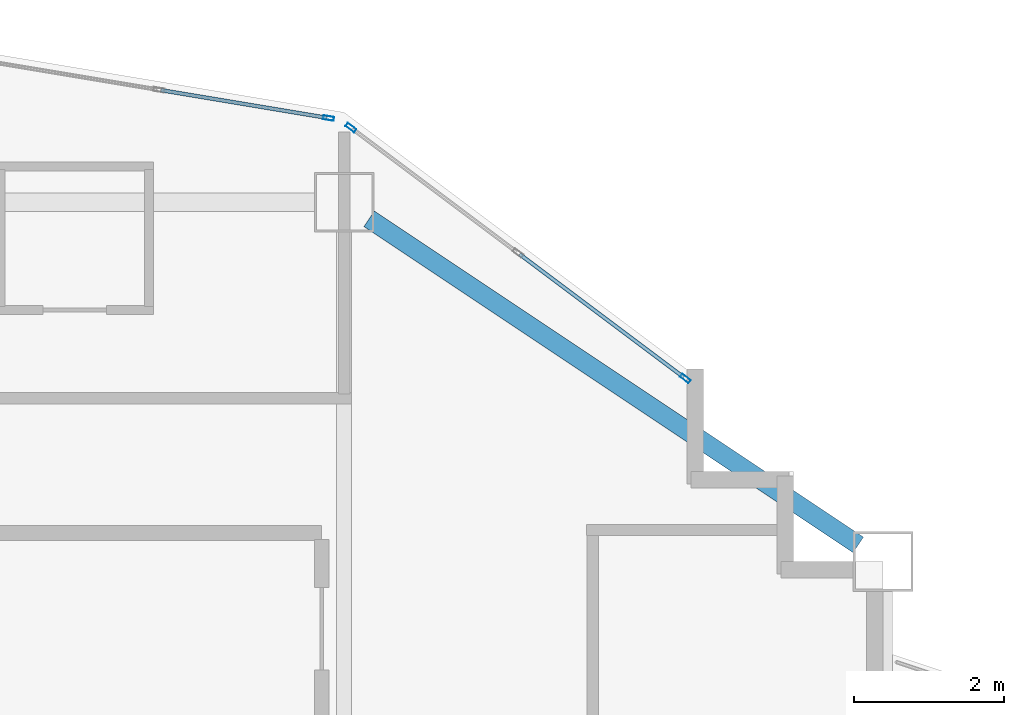
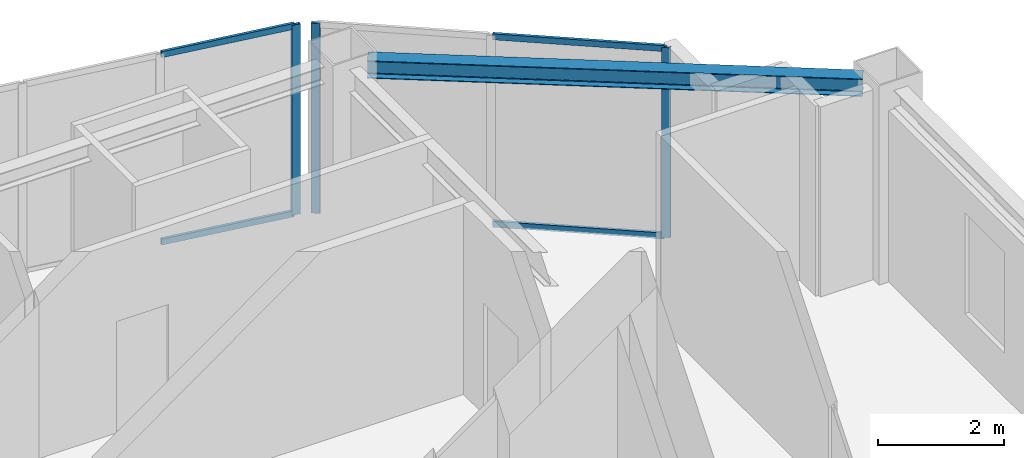
# One storey, part 3 of 10: 7 members, 1 beam, 2 elements without a shape of their own.
"""IFC4 building model written with IfcOpenShell, lengths in metres."""

from ifc_helpers import new_model, si_unit, direction, frame, origin, origin_2d, place, context, subcontext, project, spatial, hollow_rectangle, i_section, extrude, material, layer, layer_set, material_profile, profile_set, type_object, element, aggregate, save


model = new_model("IFC4")

# Units and contexts
model_context = context("Model", 3, precision=1e-05, world=origin(), true_north=direction((0.0, 1.0)))
body_context = subcontext(model_context, "Body", "Model", "MODEL_VIEW")
ifc_project = project(units=[si_unit("LENGTHUNIT", "METRE"), si_unit("AREAUNIT", "SQUARE_METRE"), si_unit("VOLUMEUNIT", "CUBIC_METRE"), si_unit("PLANEANGLEUNIT", "RADIAN"), si_unit("MASSUNIT", "GRAM", prefix="KILO")], contexts=[model_context])

# Site, building, storey
site_placement = place(None, origin())
site = spatial("IfcSite", under=ifc_project, at=site_placement, CompositionType="ELEMENT")
building_placement = place(site_placement, origin())
building = spatial("IfcBuilding", under=site, at=building_placement, Name="Haolan Belvedere Tower", CompositionType="ELEMENT")
storey_placement = place(building_placement, frame((0.0, 0.0, 235.199951171875)))
storey = spatial("IfcBuildingStorey", under=building, at=storey_placement, Name="L59", CompositionType="ELEMENT", Elevation=235.199951171875)

# Beam
ifc_material_1 = material(Name="Steel Q355B", Category="steel")
ifc_material_profile_1 = material_profile(ifc_material_1, i_section(OverallWidth=0.25, OverallDepth=0.340087890625, WebThickness=0.009033203125, FlangeThickness=0.013916015625, FilletRadius=0.02001953125, at=origin_2d()), Name="Steel Q355B")
ifc_profile_set_1 = profile_set([ifc_material_profile_1], Name="Steel Q355B")
beam_type = type_object("IfcBeamType", Name="BM-HM340x250x9x14", PredefinedType="SPANDREL", material=ifc_profile_set_1)
beam_placement = place(storey_placement, frame((45.932861328125, 50.17822265625, 3.5), z_axis=(0.832040729016, -0.55471454394, 0.0), x_axis=(0.55471454394, 0.832040729016, 0.0)))
element("IfcBeam", 1, at=beam_placement, inside=storey, type_object=beam_type, Name="L59 spandrel girder MC-T3-N2-MC-T3-NE", PredefinedType="SPANDREL", context=body_context, shape_type="SweptSolid", body=[
    extrude(i_section(OverallWidth=0.25, OverallDepth=0.340087890625, WebThickness=0.009033203125, FlangeThickness=0.013916015625, FilletRadius=0.02001953125, at=origin_2d()), origin(), (0.0, 0.0, 1.0), 7.853515625),
])

# Curtain wall, members
ifc_material_2 = material(Name="Anodised champagne-silver aluminium 6063-T6 and Low-E glass", Category="aluminium")
ifc_layer = layer(ifc_material_2, 0.14501953125, Name="Anodised champagne-silver aluminium 6063-T6 and Low-E glass")
ifc_layer_set = layer_set([ifc_layer], Name="Anodised champagne-silver aluminium 6063-T6 and Low-E glass")
curtain_wall_type = type_object("IfcCurtainWallType", Name="CW-SYS-05", PredefinedType="NOTDEFINED", material=ifc_layer_set)
curtain_wall_1_placement = place(storey_placement, origin())
curtain_wall_1 = element("IfcCurtainWall", 2, at=curtain_wall_1_placement, inside=storey, type_object=curtain_wall_type, Name="L59 CW-SYS-05 ribbon curtain wall 8.1", PredefinedType="NOTDEFINED")
ifc_material_3 = material(Name="Anodised aluminium 6063-T6", Category="aluminium")
ifc_material_profile_2 = material_profile(ifc_material_3, hollow_rectangle(XDim=0.053955078125, YDim=0.14501953125, WallThickness=0.00390625, at=origin_2d()), Name="Anodised aluminium 6063-T6")
ifc_profile_set_2 = profile_set([ifc_material_profile_2], Name="Anodised aluminium 6063-T6")
member_type_1 = type_object("IfcMemberType", Name="CW-SYS-05-MUL", PredefinedType="MULLION", material=ifc_profile_set_2)
member_1_placement = place(storey_placement, frame((50.156494140625, 48.045166015625, 0.0), z_axis=(0.0, 0.0, 1.0), x_axis=(-0.600002837806, -0.799997871638, 0.0)))
member_1 = element("IfcMember", 3, at=member_1_placement, type_object=member_type_1, Name="CW-05 mullion 1", PredefinedType="MULLION", context=body_context, shape_type="SweptSolid", body=[
    extrude(hollow_rectangle(XDim=0.053955078125, YDim=0.14501953125, WallThickness=0.00390625, at=origin_2d()), origin(), (0.0, 0.0, 1.0), 3.670166015625),
])
member_2_placement = place(storey_placement, frame((45.689208984375, 51.395751953125, 0.0), z_axis=(0.0, 0.0, 1.0), x_axis=(-0.600002837806, -0.799997871638, 0.0)))
member_2 = element("IfcMember", 4, at=member_2_placement, type_object=member_type_1, Name="CW-05 mullion 3", PredefinedType="MULLION", context=body_context, shape_type="SweptSolid", body=[
    extrude(hollow_rectangle(XDim=0.053955078125, YDim=0.14501953125, WallThickness=0.00390625, at=origin_2d()), origin(), (0.0, 0.0, 1.0), 3.670166015625),
])

# Curtain wall, member
curtain_wall_2_placement = place(storey_placement, origin())
curtain_wall_2 = element("IfcCurtainWall", 5, at=curtain_wall_2_placement, inside=storey, type_object=curtain_wall_type, Name="L59 CW-SYS-05 ribbon curtain wall 9.1", PredefinedType="NOTDEFINED")
member_3_placement = place(storey_placement, frame((45.390869140625, 51.5234375, 0.0), z_axis=(0.0, 0.0, 1.0), x_axis=(-0.164405962825, -0.98639276122, 0.0)))
member_3 = element("IfcMember", 6, at=member_3_placement, type_object=member_type_1, Name="CW-05 mullion 1", PredefinedType="MULLION", context=body_context, shape_type="SweptSolid", body=[
    extrude(hollow_rectangle(XDim=0.053955078125, YDim=0.14501953125, WallThickness=0.00390625, at=origin_2d()), origin(), (0.0, 0.0, 1.0), 3.670166015625),
])

# Member
ifc_material_profile_3 = material_profile(ifc_material_3, hollow_rectangle(XDim=0.050048828125, YDim=0.114990234375, WallThickness=0.00390625, at=origin_2d()), Name="Anodised aluminium 6063-T6")
ifc_profile_set_3 = profile_set([ifc_material_profile_3], Name="Anodised aluminium 6063-T6")
member_type_2 = type_object("IfcMemberType", Name="CW-SYS-05-TRN", PredefinedType="USERDEFINED", material=ifc_profile_set_3)
member_4_placement = place(storey_placement, frame((50.134765625, 48.061279296875, 0.025146484375), z_axis=(-0.799957200433, 0.60005706185, 0.0), x_axis=(-0.60005706185, -0.799957200433, 0.0)))
member_4 = element("IfcMember", 7, at=member_4_placement, type_object=member_type_2, Name="CW-05 transom 1.1", ObjectType="TRANSOM", PredefinedType="USERDEFINED", context=body_context, shape_type="SweptSolid", body=[
    extrude(hollow_rectangle(XDim=0.050048828125, YDim=0.114990234375, WallThickness=0.00390625, at=origin_2d()), origin(), (0.0, 0.0, 1.0), 2.73828125),
])

member_5_placement = place(storey_placement, frame((50.134765625, 48.061279296875, 3.64501953125), z_axis=(-0.799957200433, 0.60005706185, 0.0), x_axis=(-0.60005706185, -0.799957200433, 0.0)))
member_5 = element("IfcMember", 8, at=member_5_placement, type_object=member_type_2, Name="CW-05 transom 1.2", ObjectType="TRANSOM", PredefinedType="USERDEFINED", context=body_context, shape_type="SweptSolid", body=[
    extrude(hollow_rectangle(XDim=0.050048828125, YDim=0.114990234375, WallThickness=0.00390625, at=origin_2d()), origin(), (0.0, 0.0, 1.0), 2.73828125),
])

aggregate(curtain_wall_1, [member_1, member_2, member_4, member_5])

member_6_placement = place(storey_placement, frame((45.364013671875, 51.52783203125, 0.025146484375), z_axis=(-0.986390982779, 0.164416632651, 0.0), x_axis=(-0.164416632651, -0.986390982779, 0.0)))
member_6 = element("IfcMember", 9, at=member_6_placement, type_object=member_type_2, Name="CW-05 transom 1.1", ObjectType="TRANSOM", PredefinedType="USERDEFINED", context=body_context, shape_type="SweptSolid", body=[
    extrude(hollow_rectangle(XDim=0.050048828125, YDim=0.114990234375, WallThickness=0.00390625, at=origin_2d()), origin(), (0.0, 0.0, 1.0), 2.24365234375),
])

member_7_placement = place(storey_placement, frame((45.364013671875, 51.52783203125, 3.64501953125), z_axis=(-0.986390982779, 0.164416632651, 0.0), x_axis=(-0.164416632651, -0.986390982779, 0.0)))
member_7 = element("IfcMember", 10, at=member_7_placement, type_object=member_type_2, Name="CW-05 transom 1.2", ObjectType="TRANSOM", PredefinedType="USERDEFINED", context=body_context, shape_type="SweptSolid", body=[
    extrude(hollow_rectangle(XDim=0.050048828125, YDim=0.114990234375, WallThickness=0.00390625, at=origin_2d()), origin(), (0.0, 0.0, 1.0), 2.24365234375),
])

aggregate(curtain_wall_2, [member_3, member_6, member_7])

save(model, "model.ifc")
